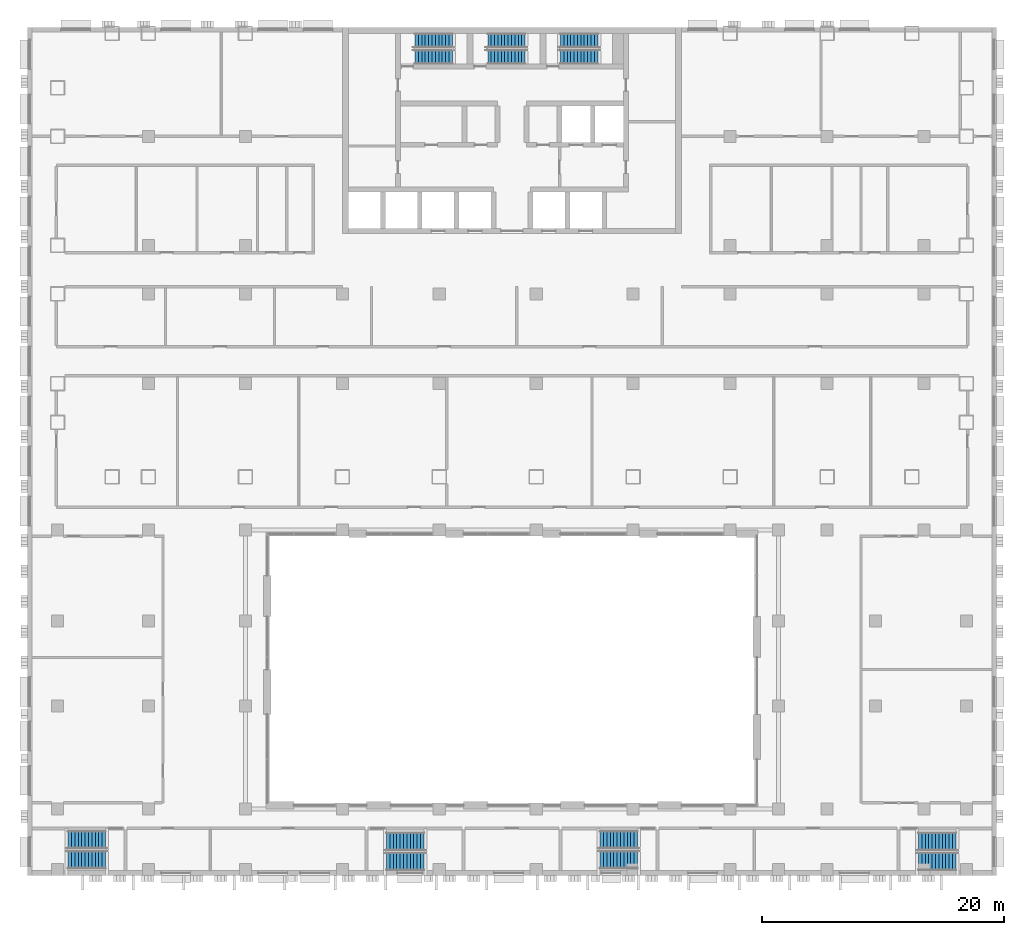
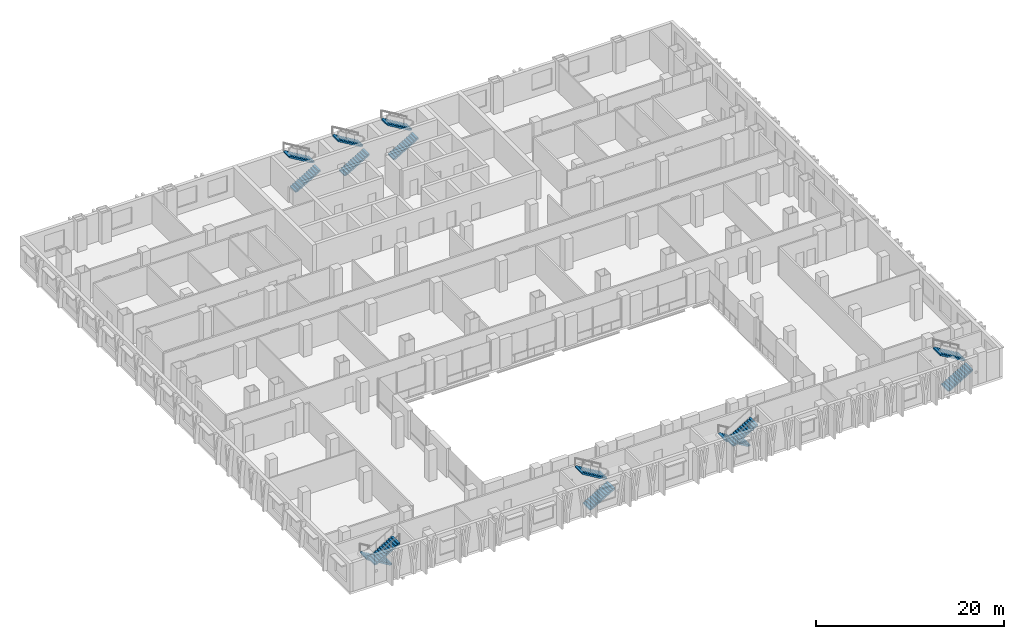
# One storey, part 17 of 26: 14 stair flights, 7 elements without a shape of their own.
"""IFC4 building model written with IfcOpenShell, lengths in metres."""

from ifc_helpers import new_model, si_unit, direction, frame, origin, place, context, subcontext, project, spatial, polyline, outline, extrude, material, type_object, element, aggregate, save


model = new_model("IFC4")

# Units and contexts
model_context = context("Model", 3, precision=1e-05, world=origin(), true_north=direction((0.0, 1.0)))
body_context = subcontext(model_context, "Body", "Model", "MODEL_VIEW")
ifc_project = project(units=[si_unit("LENGTHUNIT", "METRE"), si_unit("AREAUNIT", "SQUARE_METRE"), si_unit("VOLUMEUNIT", "CUBIC_METRE"), si_unit("PLANEANGLEUNIT", "RADIAN"), si_unit("MASSUNIT", "GRAM", prefix="KILO")], contexts=[model_context])

# Site, building, storey
site_placement = place(None, origin())
site = spatial("IfcSite", under=ifc_project, at=site_placement, CompositionType="ELEMENT")
building_placement = place(site_placement, origin())
building = spatial("IfcBuilding", under=site, at=building_placement, Name="Vidyagriha Tower", CompositionType="ELEMENT")
storey_placement = place(building_placement, frame((0.0, 0.0, 6.0)))
storey = spatial("IfcBuildingStorey", under=building, at=storey_placement, Name="L01", CompositionType="ELEMENT", Elevation=6.0)

# Stair, stair flights
ifc_material_1 = material(Name="Concrete C40/50", Category="concrete")
stair_type_1 = type_object("IfcStairType", Name="Exit stair, half-turn, precast flights", PredefinedType="HALF_TURN_STAIR", material=ifc_material_1)
stair_1_placement = place(storey_placement, origin())
stair_1 = element("IfcStair", 1, at=stair_1_placement, inside=storey, type_object=stair_type_1, Name="L01 Exit Stair ST1", PredefinedType="HALF_TURN_STAIR")
ifc_material_2 = material(Name="Precast concrete C40/50", Category="concrete")
stair_flight_type_1 = type_object("IfcStairFlightType", Name="Exit stair flight 1200 mm, precast", PredefinedType="STRAIGHT", material=ifc_material_2)
stair_flight_1_placement = place(storey_placement, frame((-8.0, 17.550048828125, 0.0)))
stair_flight_1 = element("IfcStairFlight", 2, at=stair_flight_1_placement, type_object=stair_flight_type_1, Name="ST1 flight 1", NumberOfRisers=12, NumberOfTreads=11, PredefinedType="STRAIGHT", RiserHeight=0.166666667, TreadLength=0.28, context=body_context, shape_type="SweptSolid", body=[
    extrude(outline(polyline([(0.0, 0.0), (0.0, 0.166748046875), (0.280029296875, 0.166748046875), (0.280029296875, 0.333251953125), (0.56005859375, 0.333251953125), (0.56005859375, 0.5), (0.840087890625, 0.5), (0.840087890625, 0.666748046875), (1.1201171875, 0.666748046875), (1.1201171875, 0.833251953125), (1.39990234375, 0.833251953125), (1.39990234375, 1.0), (1.679931640625, 1.0), (1.679931640625, 1.166748046875), (1.9599609375, 1.166748046875), (1.9599609375, 1.333251953125), (2.239990234375, 1.333251953125), (2.239990234375, 1.5), (2.52001953125, 1.5), (2.52001953125, 1.666748046875), (2.800048828125, 1.666748046875), (2.800048828125, 1.833251953125), (3.080078125, 1.833251953125), (3.080078125, 2.0), (3.080078125, 1.658935546875), (0.29296875, 0.0), (0.0, 0.0)])), frame((0.0, 0.60009765625, 0.0), z_axis=(0.0, -1.0, 0.0), x_axis=(1.0, 0.0, 0.0)), (0.0, 0.0, 1.0), 1.199951171875),
])
stair_flight_2_placement = place(storey_placement, frame((-4.919921875, 18.89990234375, 2.0), z_axis=(0.0, 0.0, 1.0), x_axis=(-1.0, 0.0, 0.0)))
stair_flight_2 = element("IfcStairFlight", 3, at=stair_flight_2_placement, type_object=stair_flight_type_1, Name="ST1 flight 2", NumberOfRisers=12, NumberOfTreads=11, PredefinedType="STRAIGHT", RiserHeight=0.166666667, TreadLength=0.28, context=body_context, shape_type="SweptSolid", body=[
    extrude(outline(polyline([(0.0, 0.0), (0.0, 0.166748046875), (0.280029296875, 0.166748046875), (0.280029296875, 0.333251953125), (0.56005859375, 0.333251953125), (0.56005859375, 0.5), (0.840087890625, 0.5), (0.840087890625, 0.666748046875), (1.1201171875, 0.666748046875), (1.1201171875, 0.833251953125), (1.39990234375, 0.833251953125), (1.39990234375, 1.0), (1.679931640625, 1.0), (1.679931640625, 1.166748046875), (1.9599609375, 1.166748046875), (1.9599609375, 1.333251953125), (2.239990234375, 1.333251953125), (2.239990234375, 1.5), (2.52001953125, 1.5), (2.52001953125, 1.666748046875), (2.800048828125, 1.666748046875), (2.800048828125, 1.833251953125), (3.080078125, 1.833251953125), (3.080078125, 2.0), (3.080078125, 1.658935546875), (0.29296875, 0.0), (0.0, 0.0)])), frame((0.0, 0.60009765625, 0.0), z_axis=(0.0, -1.0, 0.0), x_axis=(1.0, 0.0, 0.0)), (0.0, 0.0, 1.0), 1.199951171875),
])
aggregate(stair_1, [stair_flight_1, stair_flight_2])

stair_2_placement = place(storey_placement, origin())
stair_2 = element("IfcStair", 4, at=stair_2_placement, inside=storey, type_object=stair_type_1, Name="L01 Exit Stair ST2", PredefinedType="HALF_TURN_STAIR")
stair_flight_3_placement = place(storey_placement, frame((-2.0, 17.550048828125, 0.0)))
stair_flight_3 = element("IfcStairFlight", 5, at=stair_flight_3_placement, type_object=stair_flight_type_1, Name="ST2 flight 1", NumberOfRisers=12, NumberOfTreads=11, PredefinedType="STRAIGHT", RiserHeight=0.166666667, TreadLength=0.28, context=body_context, shape_type="SweptSolid", body=[
    extrude(outline(polyline([(0.0, 0.0), (0.0, 0.166748046875), (0.280029296875, 0.166748046875), (0.280029296875, 0.333251953125), (0.56005859375, 0.333251953125), (0.56005859375, 0.5), (0.840087890625, 0.5), (0.840087890625, 0.666748046875), (1.1201171875, 0.666748046875), (1.1201171875, 0.833251953125), (1.39990234375, 0.833251953125), (1.39990234375, 1.0), (1.679931640625, 1.0), (1.679931640625, 1.166748046875), (1.9599609375, 1.166748046875), (1.9599609375, 1.333251953125), (2.239990234375, 1.333251953125), (2.239990234375, 1.5), (2.52001953125, 1.5), (2.52001953125, 1.666748046875), (2.800048828125, 1.666748046875), (2.800048828125, 1.833251953125), (3.080078125, 1.833251953125), (3.080078125, 2.0), (3.080078125, 1.658935546875), (0.29296875, 0.0), (0.0, 0.0)])), frame((0.0, 0.60009765625, 0.0), z_axis=(0.0, -1.0, 0.0), x_axis=(1.0, 0.0, 0.0)), (0.0, 0.0, 1.0), 1.199951171875),
])
stair_flight_4_placement = place(storey_placement, frame((1.080078125, 18.89990234375, 2.0), z_axis=(0.0, 0.0, 1.0), x_axis=(-1.0, 0.0, 0.0)))
stair_flight_4 = element("IfcStairFlight", 6, at=stair_flight_4_placement, type_object=stair_flight_type_1, Name="ST2 flight 2", NumberOfRisers=12, NumberOfTreads=11, PredefinedType="STRAIGHT", RiserHeight=0.166666667, TreadLength=0.28, context=body_context, shape_type="SweptSolid", body=[
    extrude(outline(polyline([(0.0, 0.0), (0.0, 0.166748046875), (0.280029296875, 0.166748046875), (0.280029296875, 0.333251953125), (0.56005859375, 0.333251953125), (0.56005859375, 0.5), (0.840087890625, 0.5), (0.840087890625, 0.666748046875), (1.1201171875, 0.666748046875), (1.1201171875, 0.833251953125), (1.39990234375, 0.833251953125), (1.39990234375, 1.0), (1.679931640625, 1.0), (1.679931640625, 1.166748046875), (1.9599609375, 1.166748046875), (1.9599609375, 1.333251953125), (2.239990234375, 1.333251953125), (2.239990234375, 1.5), (2.52001953125, 1.5), (2.52001953125, 1.666748046875), (2.800048828125, 1.666748046875), (2.800048828125, 1.833251953125), (3.080078125, 1.833251953125), (3.080078125, 2.0), (3.080078125, 1.658935546875), (0.29296875, 0.0), (0.0, 0.0)])), frame((0.0, 0.60009765625, 0.0), z_axis=(0.0, -1.0, 0.0), x_axis=(1.0, 0.0, 0.0)), (0.0, 0.0, 1.0), 1.199951171875),
])
aggregate(stair_2, [stair_flight_3, stair_flight_4])

stair_3_placement = place(storey_placement, origin())
stair_3 = element("IfcStair", 7, at=stair_3_placement, inside=storey, type_object=stair_type_1, Name="L01 Exit Stair ST3", PredefinedType="HALF_TURN_STAIR")
stair_flight_5_placement = place(storey_placement, frame((4.0, 17.550048828125, 0.0)))
stair_flight_5 = element("IfcStairFlight", 8, at=stair_flight_5_placement, type_object=stair_flight_type_1, Name="ST3 flight 1", NumberOfRisers=12, NumberOfTreads=11, PredefinedType="STRAIGHT", RiserHeight=0.166666667, TreadLength=0.28, context=body_context, shape_type="SweptSolid", body=[
    extrude(outline(polyline([(0.0, 0.0), (0.0, 0.166748046875), (0.280029296875, 0.166748046875), (0.280029296875, 0.333251953125), (0.56005859375, 0.333251953125), (0.56005859375, 0.5), (0.840087890625, 0.5), (0.840087890625, 0.666748046875), (1.1201171875, 0.666748046875), (1.1201171875, 0.833251953125), (1.39990234375, 0.833251953125), (1.39990234375, 1.0), (1.679931640625, 1.0), (1.679931640625, 1.166748046875), (1.9599609375, 1.166748046875), (1.9599609375, 1.333251953125), (2.239990234375, 1.333251953125), (2.239990234375, 1.5), (2.52001953125, 1.5), (2.52001953125, 1.666748046875), (2.800048828125, 1.666748046875), (2.800048828125, 1.833251953125), (3.080078125, 1.833251953125), (3.080078125, 2.0), (3.080078125, 1.658935546875), (0.29296875, 0.0), (0.0, 0.0)])), frame((0.0, 0.60009765625, 0.0), z_axis=(0.0, -1.0, 0.0), x_axis=(1.0, 0.0, 0.0)), (0.0, 0.0, 1.0), 1.199951171875),
])
stair_flight_6_placement = place(storey_placement, frame((7.080078125, 18.89990234375, 2.0), z_axis=(0.0, 0.0, 1.0), x_axis=(-1.0, 0.0, 0.0)))
stair_flight_6 = element("IfcStairFlight", 9, at=stair_flight_6_placement, type_object=stair_flight_type_1, Name="ST3 flight 2", NumberOfRisers=12, NumberOfTreads=11, PredefinedType="STRAIGHT", RiserHeight=0.166666667, TreadLength=0.28, context=body_context, shape_type="SweptSolid", body=[
    extrude(outline(polyline([(0.0, 0.0), (0.0, 0.166748046875), (0.280029296875, 0.166748046875), (0.280029296875, 0.333251953125), (0.56005859375, 0.333251953125), (0.56005859375, 0.5), (0.840087890625, 0.5), (0.840087890625, 0.666748046875), (1.1201171875, 0.666748046875), (1.1201171875, 0.833251953125), (1.39990234375, 0.833251953125), (1.39990234375, 1.0), (1.679931640625, 1.0), (1.679931640625, 1.166748046875), (1.9599609375, 1.166748046875), (1.9599609375, 1.333251953125), (2.239990234375, 1.333251953125), (2.239990234375, 1.5), (2.52001953125, 1.5), (2.52001953125, 1.666748046875), (2.800048828125, 1.666748046875), (2.800048828125, 1.833251953125), (3.080078125, 1.833251953125), (3.080078125, 2.0), (3.080078125, 1.658935546875), (0.29296875, 0.0), (0.0, 0.0)])), frame((0.0, 0.60009765625, 0.0), z_axis=(0.0, -1.0, 0.0), x_axis=(1.0, 0.0, 0.0)), (0.0, 0.0, 1.0), 1.199951171875),
])
aggregate(stair_3, [stair_flight_5, stair_flight_6])

ifc_material_3 = material(Name="Concrete C32/40", Category="concrete")
stair_type_2 = type_object("IfcStairType", Name="Podium Exit Stair 1500", PredefinedType="HALF_TURN_STAIR", material=ifc_material_3)
stair_4_placement = place(storey_placement, origin())
stair_4 = element("IfcStair", 10, at=stair_4_placement, inside=storey, type_object=stair_type_2, Name="L01 Exit Stair PS1", PredefinedType="HALF_TURN_STAIR")
ifc_material_4 = material(Name="Concrete C32/40", Category="concrete")
stair_flight_type_2 = type_object("IfcStairFlightType", Name="Podium Stair Flight 1500", PredefinedType="STRAIGHT", material=ifc_material_4)
stair_flight_7_placement = place(storey_placement, frame((-33.544921875, -47.050048828125, 0.0), z_axis=(0.0, 0.0, 1.0), x_axis=(-1.0, 0.0, 0.0)))
stair_flight_7 = element("IfcStairFlight", 11, at=stair_flight_7_placement, type_object=stair_flight_type_2, Name="PS1 flight 1", NumberOfRisers=12, NumberOfTreads=11, PredefinedType="STRAIGHT", RiserHeight=0.166666667, TreadLength=0.28, context=body_context, shape_type="SweptSolid", body=[
    extrude(outline(polyline([(0.0, 0.0), (0.0, 0.166748046875), (0.280029296875, 0.166748046875), (0.280029296875, 0.333251953125), (0.56005859375, 0.333251953125), (0.56005859375, 0.5), (0.840087890625, 0.5), (0.840087890625, 0.666748046875), (1.1201171875, 0.666748046875), (1.1201171875, 0.833251953125), (1.39990234375, 0.833251953125), (1.39990234375, 1.0), (1.679931640625, 1.0), (1.679931640625, 1.166748046875), (1.9599609375, 1.166748046875), (1.9599609375, 1.333251953125), (2.239990234375, 1.333251953125), (2.239990234375, 1.5), (2.52001953125, 1.5), (2.52001953125, 1.666748046875), (2.800048828125, 1.666748046875), (2.800048828125, 1.833251953125), (3.080078125, 1.833251953125), (3.080078125, 2.0), (3.080078125, 1.658935546875), (0.29296875, 0.0), (0.0, 0.0)])), frame((0.0, 0.75, 0.0), z_axis=(0.0, -1.0, 0.0), x_axis=(1.0, 0.0, 0.0)), (0.0, 0.0, 1.0), 1.5),
])
stair_flight_8_placement = place(storey_placement, frame((-36.625, -48.699951171875, 2.0)))
stair_flight_8 = element("IfcStairFlight", 12, at=stair_flight_8_placement, type_object=stair_flight_type_2, Name="PS1 flight 2", NumberOfRisers=12, NumberOfTreads=11, PredefinedType="STRAIGHT", RiserHeight=0.166666667, TreadLength=0.28, context=body_context, shape_type="SweptSolid", body=[
    extrude(outline(polyline([(0.0, 0.0), (0.0, 0.166748046875), (0.280029296875, 0.166748046875), (0.280029296875, 0.333251953125), (0.56005859375, 0.333251953125), (0.56005859375, 0.5), (0.840087890625, 0.5), (0.840087890625, 0.666748046875), (1.1201171875, 0.666748046875), (1.1201171875, 0.833251953125), (1.39990234375, 0.833251953125), (1.39990234375, 1.0), (1.679931640625, 1.0), (1.679931640625, 1.166748046875), (1.9599609375, 1.166748046875), (1.9599609375, 1.333251953125), (2.239990234375, 1.333251953125), (2.239990234375, 1.5), (2.52001953125, 1.5), (2.52001953125, 1.666748046875), (2.800048828125, 1.666748046875), (2.800048828125, 1.833251953125), (3.080078125, 1.833251953125), (3.080078125, 2.0), (3.080078125, 1.658935546875), (0.29296875, 0.0), (0.0, 0.0)])), frame((0.0, 0.75, 0.0), z_axis=(0.0, -1.0, 0.0), x_axis=(1.0, 0.0, 0.0)), (0.0, 0.0, 1.0), 1.5),
])
aggregate(stair_4, [stair_flight_7, stair_flight_8])

stair_5_placement = place(storey_placement, origin())
stair_5 = element("IfcStair", 13, at=stair_5_placement, inside=storey, type_object=stair_type_2, Name="L01 Exit Stair PS2", PredefinedType="HALF_TURN_STAIR")
stair_flight_9_placement = place(storey_placement, frame((33.544921875, -48.85009765625, 0.0)))
stair_flight_9 = element("IfcStairFlight", 14, at=stair_flight_9_placement, type_object=stair_flight_type_2, Name="PS2 flight 1", NumberOfRisers=12, NumberOfTreads=11, PredefinedType="STRAIGHT", RiserHeight=0.166666667, TreadLength=0.28, context=body_context, shape_type="SweptSolid", body=[
    extrude(outline(polyline([(0.0, 0.0), (0.0, 0.166748046875), (0.280029296875, 0.166748046875), (0.280029296875, 0.333251953125), (0.56005859375, 0.333251953125), (0.56005859375, 0.5), (0.840087890625, 0.5), (0.840087890625, 0.666748046875), (1.1201171875, 0.666748046875), (1.1201171875, 0.833251953125), (1.39990234375, 0.833251953125), (1.39990234375, 1.0), (1.679931640625, 1.0), (1.679931640625, 1.166748046875), (1.9599609375, 1.166748046875), (1.9599609375, 1.333251953125), (2.239990234375, 1.333251953125), (2.239990234375, 1.5), (2.52001953125, 1.5), (2.52001953125, 1.666748046875), (2.800048828125, 1.666748046875), (2.800048828125, 1.833251953125), (3.080078125, 1.833251953125), (3.080078125, 2.0), (3.080078125, 1.658935546875), (0.29296875, 0.0), (0.0, 0.0)])), frame((0.0, 0.75, 0.0), z_axis=(0.0, -1.0, 0.0), x_axis=(1.0, 0.0, 0.0)), (0.0, 0.0, 1.0), 1.5),
])
stair_flight_10_placement = place(storey_placement, frame((36.625, -47.199951171875, 2.0), z_axis=(0.0, 0.0, 1.0), x_axis=(-1.0, 0.0, 0.0)))
stair_flight_10 = element("IfcStairFlight", 15, at=stair_flight_10_placement, type_object=stair_flight_type_2, Name="PS2 flight 2", NumberOfRisers=12, NumberOfTreads=11, PredefinedType="STRAIGHT", RiserHeight=0.166666667, TreadLength=0.28, context=body_context, shape_type="SweptSolid", body=[
    extrude(outline(polyline([(0.0, 0.0), (0.0, 0.166748046875), (0.280029296875, 0.166748046875), (0.280029296875, 0.333251953125), (0.56005859375, 0.333251953125), (0.56005859375, 0.5), (0.840087890625, 0.5), (0.840087890625, 0.666748046875), (1.1201171875, 0.666748046875), (1.1201171875, 0.833251953125), (1.39990234375, 0.833251953125), (1.39990234375, 1.0), (1.679931640625, 1.0), (1.679931640625, 1.166748046875), (1.9599609375, 1.166748046875), (1.9599609375, 1.333251953125), (2.239990234375, 1.333251953125), (2.239990234375, 1.5), (2.52001953125, 1.5), (2.52001953125, 1.666748046875), (2.800048828125, 1.666748046875), (2.800048828125, 1.833251953125), (3.080078125, 1.833251953125), (3.080078125, 2.0), (3.080078125, 1.658935546875), (0.29296875, 0.0), (0.0, 0.0)])), frame((0.0, 0.75, 0.0), z_axis=(0.0, -1.0, 0.0), x_axis=(1.0, 0.0, 0.0)), (0.0, 0.0, 1.0), 1.5),
])
aggregate(stair_5, [stair_flight_9, stair_flight_10])

stair_6_placement = place(storey_placement, origin())
stair_6 = element("IfcStair", 16, at=stair_6_placement, inside=storey, type_object=stair_type_2, Name="L01 Exit Stair PS3", PredefinedType="HALF_TURN_STAIR")
stair_flight_11_placement = place(storey_placement, frame((-10.35498046875, -48.85009765625, 0.0)))
stair_flight_11 = element("IfcStairFlight", 17, at=stair_flight_11_placement, type_object=stair_flight_type_2, Name="PS3 flight 1", NumberOfRisers=12, NumberOfTreads=11, PredefinedType="STRAIGHT", RiserHeight=0.166666667, TreadLength=0.28, context=body_context, shape_type="SweptSolid", body=[
    extrude(outline(polyline([(0.0, 0.0), (0.0, 0.166748046875), (0.280029296875, 0.166748046875), (0.280029296875, 0.333251953125), (0.56005859375, 0.333251953125), (0.56005859375, 0.5), (0.840087890625, 0.5), (0.840087890625, 0.666748046875), (1.1201171875, 0.666748046875), (1.1201171875, 0.833251953125), (1.39990234375, 0.833251953125), (1.39990234375, 1.0), (1.679931640625, 1.0), (1.679931640625, 1.166748046875), (1.9599609375, 1.166748046875), (1.9599609375, 1.333251953125), (2.239990234375, 1.333251953125), (2.239990234375, 1.5), (2.52001953125, 1.5), (2.52001953125, 1.666748046875), (2.800048828125, 1.666748046875), (2.800048828125, 1.833251953125), (3.080078125, 1.833251953125), (3.080078125, 2.0), (3.080078125, 1.658935546875), (0.29296875, 0.0), (0.0, 0.0)])), frame((0.0, 0.75, 0.0), z_axis=(0.0, -1.0, 0.0), x_axis=(1.0, 0.0, 0.0)), (0.0, 0.0, 1.0), 1.5),
])
stair_flight_12_placement = place(storey_placement, frame((-7.27490234375, -47.199951171875, 2.0), z_axis=(0.0, 0.0, 1.0), x_axis=(-1.0, 0.0, 0.0)))
stair_flight_12 = element("IfcStairFlight", 18, at=stair_flight_12_placement, type_object=stair_flight_type_2, Name="PS3 flight 2", NumberOfRisers=12, NumberOfTreads=11, PredefinedType="STRAIGHT", RiserHeight=0.166666667, TreadLength=0.28, context=body_context, shape_type="SweptSolid", body=[
    extrude(outline(polyline([(0.0, 0.0), (0.0, 0.166748046875), (0.280029296875, 0.166748046875), (0.280029296875, 0.333251953125), (0.56005859375, 0.333251953125), (0.56005859375, 0.5), (0.840087890625, 0.5), (0.840087890625, 0.666748046875), (1.1201171875, 0.666748046875), (1.1201171875, 0.833251953125), (1.39990234375, 0.833251953125), (1.39990234375, 1.0), (1.679931640625, 1.0), (1.679931640625, 1.166748046875), (1.9599609375, 1.166748046875), (1.9599609375, 1.333251953125), (2.239990234375, 1.333251953125), (2.239990234375, 1.5), (2.52001953125, 1.5), (2.52001953125, 1.666748046875), (2.800048828125, 1.666748046875), (2.800048828125, 1.833251953125), (3.080078125, 1.833251953125), (3.080078125, 2.0), (3.080078125, 1.658935546875), (0.29296875, 0.0), (0.0, 0.0)])), frame((0.0, 0.75, 0.0), z_axis=(0.0, -1.0, 0.0), x_axis=(1.0, 0.0, 0.0)), (0.0, 0.0, 1.0), 1.5),
])
aggregate(stair_6, [stair_flight_11, stair_flight_12])

stair_7_placement = place(storey_placement, origin())
stair_7 = element("IfcStair", 19, at=stair_7_placement, inside=storey, type_object=stair_type_2, Name="L01 Exit Stair PS4", PredefinedType="HALF_TURN_STAIR")
stair_flight_13_placement = place(storey_placement, frame((10.35498046875, -47.050048828125, 0.0), z_axis=(0.0, 0.0, 1.0), x_axis=(-1.0, 0.0, 0.0)))
stair_flight_13 = element("IfcStairFlight", 20, at=stair_flight_13_placement, type_object=stair_flight_type_2, Name="PS4 flight 1", NumberOfRisers=12, NumberOfTreads=11, PredefinedType="STRAIGHT", RiserHeight=0.166666667, TreadLength=0.28, context=body_context, shape_type="SweptSolid", body=[
    extrude(outline(polyline([(0.0, 0.0), (0.0, 0.166748046875), (0.280029296875, 0.166748046875), (0.280029296875, 0.333251953125), (0.56005859375, 0.333251953125), (0.56005859375, 0.5), (0.840087890625, 0.5), (0.840087890625, 0.666748046875), (1.1201171875, 0.666748046875), (1.1201171875, 0.833251953125), (1.39990234375, 0.833251953125), (1.39990234375, 1.0), (1.679931640625, 1.0), (1.679931640625, 1.166748046875), (1.9599609375, 1.166748046875), (1.9599609375, 1.333251953125), (2.239990234375, 1.333251953125), (2.239990234375, 1.5), (2.52001953125, 1.5), (2.52001953125, 1.666748046875), (2.800048828125, 1.666748046875), (2.800048828125, 1.833251953125), (3.080078125, 1.833251953125), (3.080078125, 2.0), (3.080078125, 1.658935546875), (0.29296875, 0.0), (0.0, 0.0)])), frame((0.0, 0.75, 0.0), z_axis=(0.0, -1.0, 0.0), x_axis=(1.0, 0.0, 0.0)), (0.0, 0.0, 1.0), 1.5),
])
stair_flight_14_placement = place(storey_placement, frame((7.27490234375, -48.699951171875, 2.0)))
stair_flight_14 = element("IfcStairFlight", 21, at=stair_flight_14_placement, type_object=stair_flight_type_2, Name="PS4 flight 2", NumberOfRisers=12, NumberOfTreads=11, PredefinedType="STRAIGHT", RiserHeight=0.166666667, TreadLength=0.28, context=body_context, shape_type="SweptSolid", body=[
    extrude(outline(polyline([(0.0, 0.0), (0.0, 0.166748046875), (0.280029296875, 0.166748046875), (0.280029296875, 0.333251953125), (0.56005859375, 0.333251953125), (0.56005859375, 0.5), (0.840087890625, 0.5), (0.840087890625, 0.666748046875), (1.1201171875, 0.666748046875), (1.1201171875, 0.833251953125), (1.39990234375, 0.833251953125), (1.39990234375, 1.0), (1.679931640625, 1.0), (1.679931640625, 1.166748046875), (1.9599609375, 1.166748046875), (1.9599609375, 1.333251953125), (2.239990234375, 1.333251953125), (2.239990234375, 1.5), (2.52001953125, 1.5), (2.52001953125, 1.666748046875), (2.800048828125, 1.666748046875), (2.800048828125, 1.833251953125), (3.080078125, 1.833251953125), (3.080078125, 2.0), (3.080078125, 1.658935546875), (0.29296875, 0.0), (0.0, 0.0)])), frame((0.0, 0.75, 0.0), z_axis=(0.0, -1.0, 0.0), x_axis=(1.0, 0.0, 0.0)), (0.0, 0.0, 1.0), 1.5),
])
aggregate(stair_7, [stair_flight_13, stair_flight_14])

save(model, "model.ifc")
